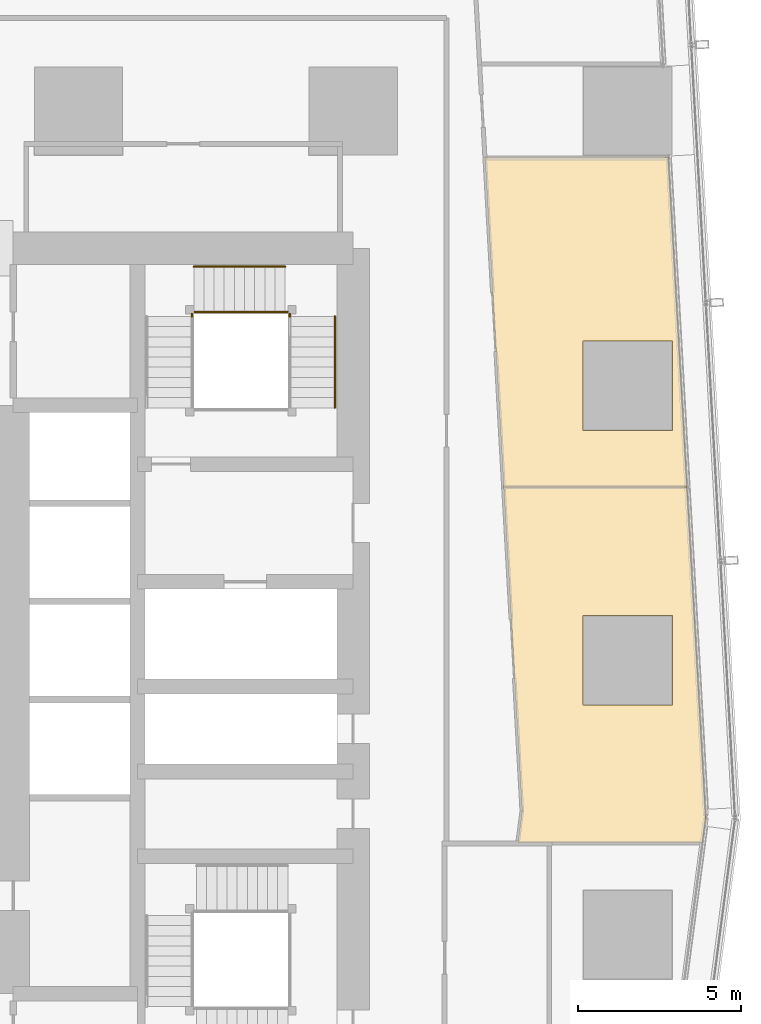
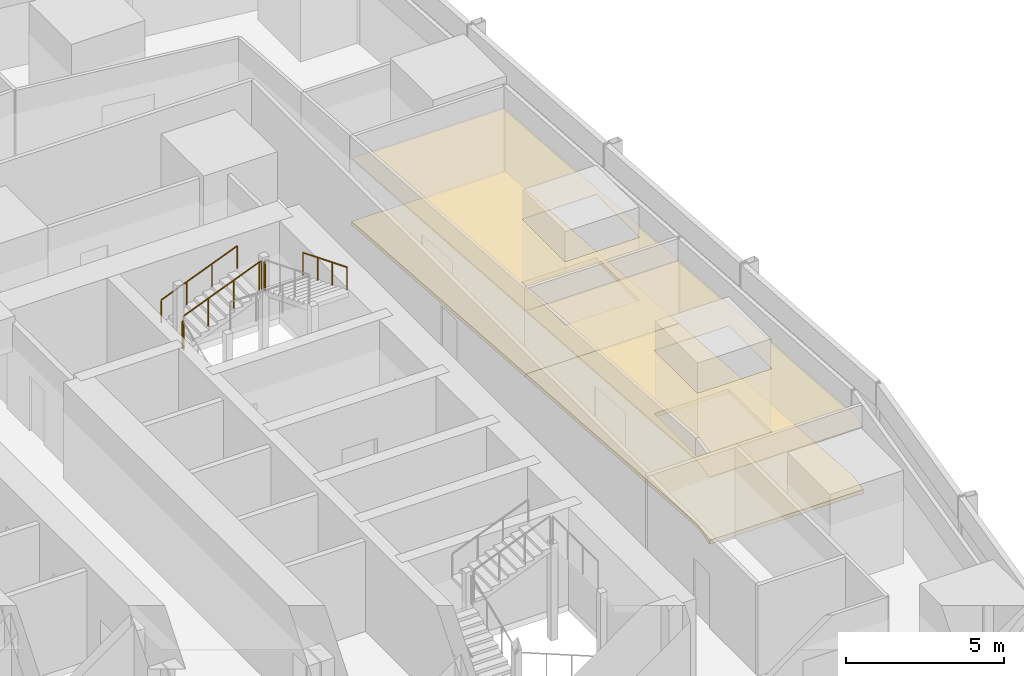
# One storey, part 35 of 36: 6 railings, 4 coverings.
"""IFC4 building model written with IfcOpenShell, lengths in metres."""

from ifc_helpers import new_model, si_unit, direction, frame, origin, origin_2d, place, context, subcontext, project, spatial, polyline, circle, outline, extrude, material, layer, layer_set, type_object, element, save


model = new_model("IFC4")

# Units and contexts
model_context = context("Model", 3, precision=1e-05, world=origin(), true_north=direction((0.0, 1.0)))
body_context = subcontext(model_context, "Body", "Model", "MODEL_VIEW")
ifc_project = project(units=[si_unit("LENGTHUNIT", "METRE"), si_unit("AREAUNIT", "SQUARE_METRE"), si_unit("VOLUMEUNIT", "CUBIC_METRE"), si_unit("PLANEANGLEUNIT", "RADIAN"), si_unit("MASSUNIT", "GRAM", prefix="KILO")], contexts=[model_context])

# Site, building, storey
site_placement = place(None, origin())
site = spatial("IfcSite", under=ifc_project, at=site_placement, CompositionType="ELEMENT")
building_placement = place(site_placement, origin())
building = spatial("IfcBuilding", under=site, at=building_placement, Name="Rekha Terrace Tower", CompositionType="ELEMENT")
storey_placement = place(building_placement, frame((0.0, 0.0, 172.699951171875)))
storey = spatial("IfcBuildingStorey", under=building, at=storey_placement, Name="L43", CompositionType="ELEMENT", Elevation=172.699951171875)

# Coverings
ifc_material_1 = material(Name="Mineral fibre tile in exposed grid", Category="finish")
ifc_layer_1 = layer(ifc_material_1, 0.02001953125)
ifc_layer_set_1 = layer_set([ifc_layer_1], Name="Mineral fibre tile in exposed grid")
covering_type_1 = type_object("IfcCoveringType", Name="CL1 600x1200 office grid ceiling", PredefinedType="CEILING", material=ifc_layer_set_1)
covering_1_placement = place(storey_placement, frame((0.0, 0.0, 2.580078125)))
element("IfcCovering", 1, at=covering_1_placement, inside=storey, type_object=covering_type_1, Name="Ceiling L43-04", PredefinedType="CEILING", context=body_context, shape_type="SweptSolid", body=[
    extrude(outline(polyline([(61.18603515625, 28.780029296875), (60.612060546875, 38.902099609375), (55.0029296875, 38.902099609375), (55.56494140625, 28.990966796875), (55.43603515625, 28.013916015625), (61.083984375, 28.013916015625), (61.18603515625, 28.780029296875)]), holes=[polyline([(60.1650390625, 34.965087890625), (60.1650390625, 32.235107421875), (57.43505859375, 32.235107421875), (57.43505859375, 34.965087890625), (60.1650390625, 34.965087890625)])]), origin(), (0.0, 0.0, 1.0), 0.02001953125),
])
covering_2_placement = place(storey_placement, frame((0.0, 0.0, 2.580078125)))
element("IfcCovering", 2, at=covering_2_placement, inside=storey, type_object=covering_type_1, Name="Ceiling L43-05", PredefinedType="CEILING", context=body_context, shape_type="SweptSolid", body=[
    extrude(outline(polyline([(55.0029296875, 38.903076171875), (60.612060546875, 38.903076171875), (60.0390625, 48.991943359375), (54.429931640625, 48.991943359375), (55.0029296875, 38.903076171875)]), holes=[polyline([(60.1650390625, 40.635009765625), (57.43505859375, 40.635009765625), (57.43505859375, 43.364990234375), (60.1650390625, 43.364990234375), (60.1650390625, 40.635009765625)])]), origin(), (0.0, 0.0, 1.0), 0.02001953125),
])

# Railings
ifc_material_2 = material(Name="Stainless steel balustrade", Category="steel")
railing_type_1 = type_object("IfcRailingType", Name="GR1 1100 stair guard", PredefinedType="GUARDRAIL", material=ifc_material_2)
railing_1_placement = place(storey_placement, frame((45.52490234375, 44.260009765625, 1.375)))
element("IfcRailing", 3, at=railing_1_placement, inside=storey, type_object=railing_type_1, Name="Guard ST2 L43 flight 2", PredefinedType="GUARDRAIL", context=body_context, shape_type="SweptSolid", body=[
    extrude(circle(Radius=0.02392578125, at=origin_2d()), frame((0.0, 0.0, 1.076171875), z_axis=(0.927443287984, 0.0, 0.373963831907), x_axis=(0.0, 1.0, 0.0)), (0.0, 0.0, 1.0), 3.00830078125),
    extrude(circle(Radius=0.02099609375, at=origin_2d()), origin(), (0.0, 0.0, 1.0), 1.052001953125),
    extrude(circle(Radius=0.02099609375, at=origin_2d()), frame((0.929931640625, 0.0, 0.375)), (0.0, 0.0, 1.0), 1.052001953125),
    extrude(circle(Radius=0.02099609375, at=origin_2d()), frame((1.860107421875, 0.0, 0.75)), (0.0, 0.0, 1.0), 1.052001953125),
    extrude(circle(Radius=0.02099609375, at=origin_2d()), frame((2.7900390625, 0.0, 1.125)), (0.0, 0.0, 1.0), 1.052001953125),
])
railing_2_placement = place(storey_placement, frame((45.465087890625, 44.114990234375, 1.25)))
element("IfcRailing", 4, at=railing_2_placement, inside=storey, type_object=railing_type_1, Name="Guard ST2 L43 landing 1", PredefinedType="GUARDRAIL", context=body_context, shape_type="SweptSolid", body=[
    extrude(circle(Radius=0.02392578125, at=origin_2d()), frame((0.0, 0.0, 1.076171875), z_axis=(0.0, 1.0, 0.0), x_axis=(-1.0, 0.0, 0.0)), (0.0, 0.0, 1.0), 0.0849609375),
    extrude(circle(Radius=0.02099609375, at=origin_2d()), origin(), (0.0, 0.0, 1.0), 1.052001953125),
    extrude(circle(Radius=0.02099609375, at=origin_2d()), frame((0.0, 0.0849609375, 0.0)), (0.0, 0.0, 1.0), 1.052001953125),
])
railing_3_placement = place(storey_placement, frame((48.31494140625, 44.260009765625, 2.5)))
element("IfcRailing", 5, at=railing_3_placement, inside=storey, type_object=railing_type_1, Name="Guard ST2 L43 landing 2", PredefinedType="GUARDRAIL", context=body_context, shape_type="SweptSolid", body=[
    extrude(circle(Radius=0.02392578125, at=origin_2d()), frame((0.0, 0.0, 1.076171875), z_axis=(1.0, 0.0, 0.0), x_axis=(0.0, 1.0, 0.0)), (0.0, 0.0, 1.0), 0.0849609375),
    extrude(circle(Radius=0.02099609375, at=origin_2d()), origin(), (0.0, 0.0, 1.0), 1.052001953125),
    extrude(circle(Radius=0.02099609375, at=origin_2d()), frame((0.0849609375, 0.0, 0.0)), (0.0, 0.0, 1.0), 1.052001953125),
])
railing_4_placement = place(storey_placement, frame((48.4599609375, 44.114990234375, 2.5)))
element("IfcRailing", 6, at=railing_4_placement, inside=storey, type_object=railing_type_1, Name="Guard ST2 L43 landing 3", PredefinedType="GUARDRAIL", context=body_context, shape_type="SweptSolid", body=[
    extrude(circle(Radius=0.02392578125, at=origin_2d()), frame((0.0, 0.0, 1.076171875), z_axis=(0.0, 1.0, 0.0), x_axis=(-1.0, 0.0, 0.0)), (0.0, 0.0, 1.0), 0.0849609375),
    extrude(circle(Radius=0.02099609375, at=origin_2d()), origin(), (0.0, 0.0, 1.0), 1.052001953125),
    extrude(circle(Radius=0.02099609375, at=origin_2d()), frame((0.0, 0.0849609375, 0.0)), (0.0, 0.0, 1.0), 1.052001953125),
])
ifc_material_3 = material(Name="Stainless steel tube", Category="steel")
railing_type_2 = type_object("IfcRailingType", Name="HR1 900 stair handrail", PredefinedType="HANDRAIL", material=ifc_material_3)
railing_5_placement = place(storey_placement, frame((45.52490234375, 45.639892578125, 1.375)))
element("IfcRailing", 7, at=railing_5_placement, inside=storey, type_object=railing_type_2, Name="Handrail ST2 L43 flight 2", PredefinedType="HANDRAIL", context=body_context, shape_type="SweptSolid", body=[
    extrude(circle(Radius=0.02392578125, at=origin_2d()), frame((0.0, 0.0, 0.8759765625), z_axis=(0.927443287984, 0.0, 0.373963831907), x_axis=(0.0, 1.0, 0.0)), (0.0, 0.0, 1.0), 3.00830078125),
    extrude(circle(Radius=0.02099609375, at=origin_2d()), origin(), (0.0, 0.0, 1.0), 0.851806640625),
    extrude(circle(Radius=0.02099609375, at=origin_2d()), frame((0.929931640625, 0.0, 0.375)), (0.0, 0.0, 1.0), 0.851806640625),
    extrude(circle(Radius=0.02099609375, at=origin_2d()), frame((1.860107421875, 0.0, 0.75)), (0.0, 0.0, 1.0), 0.851806640625),
    extrude(circle(Radius=0.02099609375, at=origin_2d()), frame((2.7900390625, 0.0, 1.125)), (0.0, 0.0, 1.0), 0.851806640625),
])
railing_6_placement = place(storey_placement, frame((49.840087890625, 44.114990234375, 2.625)))
element("IfcRailing", 8, at=railing_6_placement, inside=storey, type_object=railing_type_2, Name="Handrail ST2 L43 flight 3", PredefinedType="HANDRAIL", context=body_context, shape_type="SweptSolid", body=[
    extrude(circle(Radius=0.02392578125, at=origin_2d()), frame((0.0, 0.0, 0.8759765625), z_axis=(0.0, -0.927443287984, 0.373963831907), x_axis=(1.0, 0.0, 0.0)), (0.0, 0.0, 1.0), 3.00830078125),
    extrude(circle(Radius=0.02099609375, at=origin_2d()), origin(), (0.0, 0.0, 1.0), 0.851806640625),
    extrude(circle(Radius=0.02099609375, at=origin_2d()), frame((0.0, -0.929931640625, 0.375)), (0.0, 0.0, 1.0), 0.851806640625),
    extrude(circle(Radius=0.02099609375, at=origin_2d()), frame((0.0, -1.860107421875, 0.75)), (0.0, 0.0, 1.0), 0.851806640625),
    extrude(circle(Radius=0.02099609375, at=origin_2d()), frame((0.0, -2.7900390625, 1.125)), (0.0, 0.0, 1.0), 0.851806640625),
])

# Coverings
ifc_material_4 = material(Name="Calcium sulphate panels on steel pedestals", Category="steel")
ifc_layer_2 = layer(ifc_material_4, 0.14990234375)
ifc_layer_set_2 = layer_set([ifc_layer_2], Name="Calcium sulphate panels on steel pedestals")
covering_type_2 = type_object("IfcCoveringType", Name="RF1 150 raised access floor", PredefinedType="FLOORING", material=ifc_layer_set_2)
covering_3_placement = place(storey_placement, origin())
element("IfcCovering", 9, at=covering_3_placement, inside=storey, type_object=covering_type_2, Name="Raised floor L43-04", PredefinedType="FLOORING", context=body_context, shape_type="SweptSolid", body=[
    extrude(outline(polyline([(61.18603515625, 28.780029296875), (60.612060546875, 38.902099609375), (55.0029296875, 38.902099609375), (55.56494140625, 28.990966796875), (55.43603515625, 28.013916015625), (61.083984375, 28.013916015625), (61.18603515625, 28.780029296875)]), holes=[polyline([(60.1650390625, 34.965087890625), (60.1650390625, 32.235107421875), (57.43505859375, 32.235107421875), (57.43505859375, 34.965087890625), (60.1650390625, 34.965087890625)])]), origin(), (0.0, 0.0, 1.0), 0.150146484375),
])
covering_4_placement = place(storey_placement, origin())
element("IfcCovering", 10, at=covering_4_placement, inside=storey, type_object=covering_type_2, Name="Raised floor L43-05", PredefinedType="FLOORING", context=body_context, shape_type="SweptSolid", body=[
    extrude(outline(polyline([(55.0029296875, 38.903076171875), (60.612060546875, 38.903076171875), (60.0390625, 48.991943359375), (54.429931640625, 48.991943359375), (55.0029296875, 38.903076171875)]), holes=[polyline([(60.1650390625, 40.635009765625), (57.43505859375, 40.635009765625), (57.43505859375, 43.364990234375), (60.1650390625, 43.364990234375), (60.1650390625, 40.635009765625)])]), origin(), (0.0, 0.0, 1.0), 0.150146484375),
])

save(model, "model.ifc")
